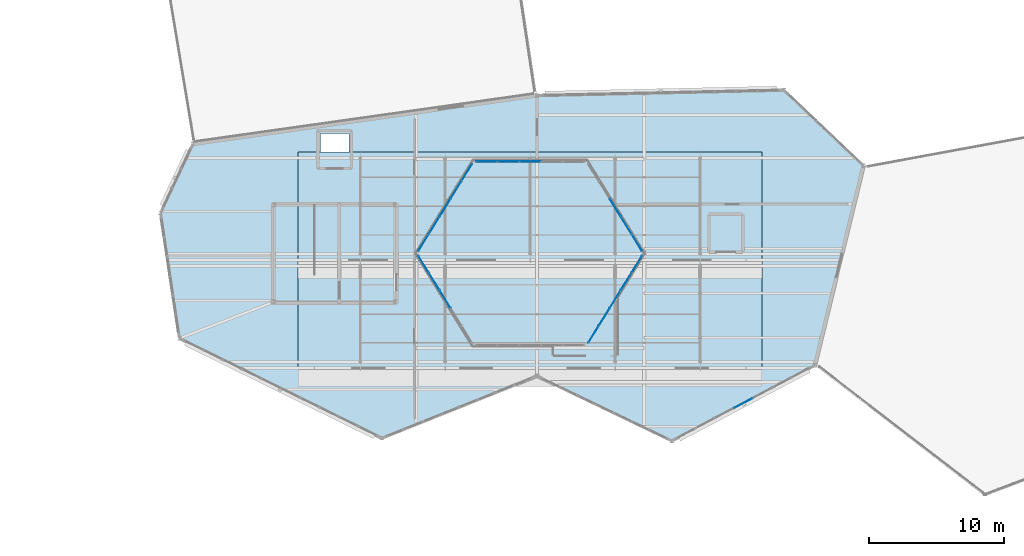
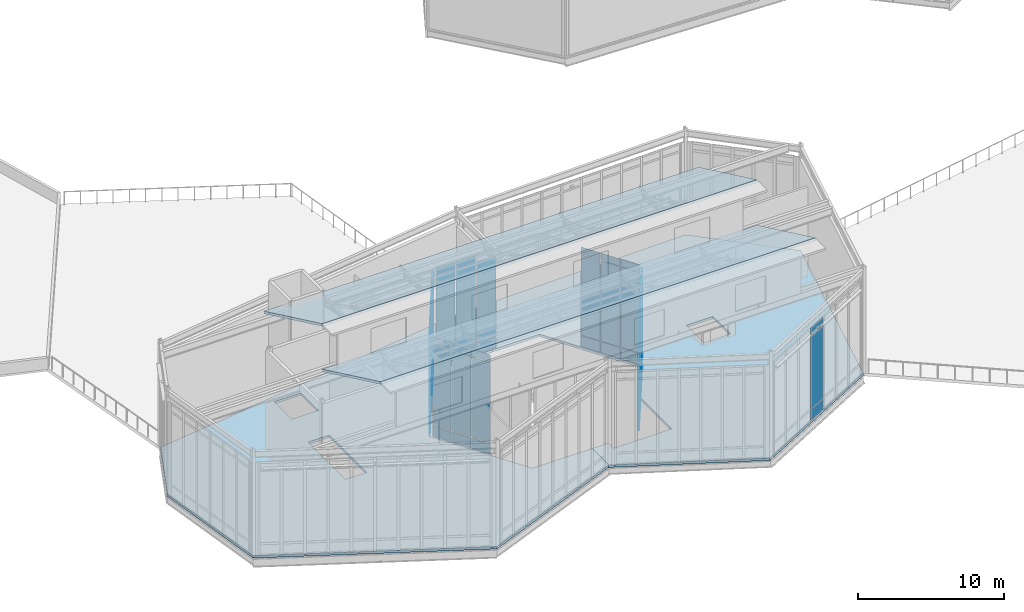
# One storey, part 44 of 66: 59 plates, 4 slabs, 6 elements without a shape of their own.
"""IFC4 building model written with IfcOpenShell, lengths in metres."""

from ifc_helpers import new_model, si_unit, direction, frame, origin, origin_2d, place, context, subcontext, project, spatial, polyline, rectangle, outline, extrude, material, layer, layer_set, type_object, element, aggregate, save


model = new_model("IFC4")

# Units and contexts
model_context = context("Model", 3, precision=1e-05, world=origin(), true_north=direction((0.0, 1.0)))
body_context = subcontext(model_context, "Body", "Model", "MODEL_VIEW")
ifc_project = project(units=[si_unit("LENGTHUNIT", "METRE"), si_unit("AREAUNIT", "SQUARE_METRE"), si_unit("VOLUMEUNIT", "CUBIC_METRE"), si_unit("PLANEANGLEUNIT", "RADIAN"), si_unit("MASSUNIT", "GRAM", prefix="KILO")], contexts=[model_context])

# Site, building, storey
site_placement = place(None, origin())
site = spatial("IfcSite", under=ifc_project, at=site_placement, CompositionType="ELEMENT")
building_placement = place(site_placement, origin())
building = spatial("IfcBuilding", under=site, at=building_placement, Name="Tameran Prism Museum", CompositionType="ELEMENT")
storey_placement = place(building_placement, frame((0.0, 0.0, 19.800048828125)))
storey = spatial("IfcBuildingStorey", under=building, at=storey_placement, Name="L04", CompositionType="ELEMENT", Elevation=19.800048828125)

# Curtain wall, plates
ifc_material_1 = material(Name="Anodised Aluminium 6063-T6 and Cyclone Solar Glass", Category="aluminium")
curtain_wall_type_1 = type_object("IfcCurtainWallType", Name="CW-ATR-769x844", PredefinedType="USERDEFINED", material=ifc_material_1)
curtain_wall_1_placement = place(storey_placement, origin())
curtain_wall_1 = element("IfcCurtainWall", 1, at=curtain_wall_1_placement, inside=storey, type_object=curtain_wall_type_1, Name="Unitised Curtain Wall CW-015", ObjectType="UNITISED CURTAIN WALL", PredefinedType="USERDEFINED")
ifc_material_2 = material(Name="Low-E Laminated Solar Glass", Category="glass")
ifc_layer_1 = layer(ifc_material_2, 0.028076171875)
ifc_layer_set_1 = layer_set([ifc_layer_1])
plate_type = type_object("IfcPlateType", Name="CW-PNL-G28", PredefinedType="CURTAIN_PANEL", material=ifc_layer_set_1)
plate_1_placement = place(storey_placement, frame((69.091796875, 35.703857421875, 0.06494140625), z_axis=(0.0, 0.0, 1.0), x_axis=(0.525503952357, -0.850791158897, 0.0)))
plate_1 = element("IfcPlate", 2, at=plate_1_placement, type_object=plate_type, Name="CW-015 panel 1.1", PredefinedType="CURTAIN_PANEL", context=body_context, shape_type="SweptSolid", body=[
    extrude(rectangle(XDim=1.44091796875, YDim=0.028076171875, at=origin_2d()), origin(), (0.0, 0.0, 1.0), 0.902587890625),
])
plate_2_placement = place(storey_placement, frame((69.091796875, 35.703857421875, 1.0322265625), z_axis=(0.0, 0.0, 1.0), x_axis=(0.525503952357, -0.850791158897, 0.0)))
plate_2 = element("IfcPlate", 3, at=plate_2_placement, type_object=plate_type, Name="CW-015 panel 1.2", PredefinedType="CURTAIN_PANEL", context=body_context, shape_type="SweptSolid", body=[
    extrude(rectangle(XDim=1.44091796875, YDim=0.028076171875, at=origin_2d()), origin(), (0.0, 0.0, 1.0), 6.695068359375),
])
plate_3_placement = place(storey_placement, frame((69.091796875, 35.703857421875, 7.79248046875), z_axis=(0.0, 0.0, 1.0), x_axis=(0.525503952357, -0.850791158897, 0.0)))
plate_3 = element("IfcPlate", 4, at=plate_3_placement, type_object=plate_type, Name="CW-015 panel 1.3", PredefinedType="CURTAIN_PANEL", context=body_context, shape_type="SweptSolid", body=[
    extrude(rectangle(XDim=1.44091796875, YDim=0.028076171875, at=origin_2d()), origin(), (0.0, 0.0, 1.0), 0.58251953125),
])
plate_4_placement = place(storey_placement, frame((69.8916015625, 34.40869140625, 0.06494140625), z_axis=(0.0, 0.0, 1.0), x_axis=(0.525503952357, -0.850791158897, 0.0)))
plate_4 = element("IfcPlate", 5, at=plate_4_placement, type_object=plate_type, Name="CW-015 panel 2.1", PredefinedType="CURTAIN_PANEL", context=body_context, shape_type="SweptSolid", body=[
    extrude(rectangle(XDim=1.473388671875, YDim=0.028076171875, at=origin_2d()), origin(), (0.0, 0.0, 1.0), 0.902587890625),
])
plate_5_placement = place(storey_placement, frame((69.8916015625, 34.40869140625, 1.0322265625), z_axis=(0.0, 0.0, 1.0), x_axis=(0.525503952357, -0.850791158897, 0.0)))
plate_5 = element("IfcPlate", 6, at=plate_5_placement, type_object=plate_type, Name="CW-015 panel 2.2", PredefinedType="CURTAIN_PANEL", context=body_context, shape_type="SweptSolid", body=[
    extrude(rectangle(XDim=1.473388671875, YDim=0.028076171875, at=origin_2d()), origin(), (0.0, 0.0, 1.0), 6.695068359375),
])
plate_6_placement = place(storey_placement, frame((69.8916015625, 34.40869140625, 7.79248046875), z_axis=(0.0, 0.0, 1.0), x_axis=(0.525503952357, -0.850791158897, 0.0)))
plate_6 = element("IfcPlate", 7, at=plate_6_placement, type_object=plate_type, Name="CW-015 panel 2.3", PredefinedType="CURTAIN_PANEL", context=body_context, shape_type="SweptSolid", body=[
    extrude(rectangle(XDim=1.473388671875, YDim=0.028076171875, at=origin_2d()), origin(), (0.0, 0.0, 1.0), 0.58251953125),
])
plate_7_placement = place(storey_placement, frame((70.699951171875, 33.10009765625, 0.06494140625), z_axis=(0.0, 0.0, 1.0), x_axis=(0.525503952357, -0.850791158897, 0.0)))
plate_7 = element("IfcPlate", 8, at=plate_7_placement, type_object=plate_type, Name="CW-015 panel 3.1", PredefinedType="CURTAIN_PANEL", context=body_context, shape_type="SweptSolid", body=[
    extrude(rectangle(XDim=1.473388671875, YDim=0.028076171875, at=origin_2d()), origin(), (0.0, 0.0, 1.0), 0.902587890625),
])
plate_8_placement = place(storey_placement, frame((70.699951171875, 33.10009765625, 1.0322265625), z_axis=(0.0, 0.0, 1.0), x_axis=(0.525503952357, -0.850791158897, 0.0)))
plate_8 = element("IfcPlate", 9, at=plate_8_placement, type_object=plate_type, Name="CW-015 panel 3.2", PredefinedType="CURTAIN_PANEL", context=body_context, shape_type="SweptSolid", body=[
    extrude(rectangle(XDim=1.473388671875, YDim=0.028076171875, at=origin_2d()), origin(), (0.0, 0.0, 1.0), 6.695068359375),
])
plate_9_placement = place(storey_placement, frame((70.699951171875, 33.10009765625, 7.79248046875), z_axis=(0.0, 0.0, 1.0), x_axis=(0.525503952357, -0.850791158897, 0.0)))
plate_9 = element("IfcPlate", 10, at=plate_9_placement, type_object=plate_type, Name="CW-015 panel 3.3", PredefinedType="CURTAIN_PANEL", context=body_context, shape_type="SweptSolid", body=[
    extrude(rectangle(XDim=1.473388671875, YDim=0.028076171875, at=origin_2d()), origin(), (0.0, 0.0, 1.0), 0.58251953125),
])
aggregate(curtain_wall_1, [plate_1, plate_2, plate_3, plate_4, plate_5, plate_6, plate_7, plate_8, plate_9])

curtain_wall_2_placement = place(storey_placement, origin())
curtain_wall_2 = element("IfcCurtainWall", 11, at=curtain_wall_2_placement, inside=storey, type_object=curtain_wall_type_1, Name="Unitised Curtain Wall CW-017", ObjectType="UNITISED CURTAIN WALL", PredefinedType="USERDEFINED")
plate_10_placement = place(storey_placement, frame((81.691650390625, 30.496337890625, 0.06494140625), z_axis=(0.0, 0.0, 1.0), x_axis=(0.525503952357, 0.850791158897, 0.0)))
plate_10 = element("IfcPlate", 12, at=plate_10_placement, type_object=plate_type, Name="CW-017 panel 1.1", PredefinedType="CURTAIN_PANEL", context=body_context, shape_type="SweptSolid", body=[
    extrude(rectangle(XDim=1.44091796875, YDim=0.028076171875, at=origin_2d()), origin(), (0.0, 0.0, 1.0), 0.902587890625),
])
plate_11_placement = place(storey_placement, frame((81.691650390625, 30.496337890625, 1.0322265625), z_axis=(0.0, 0.0, 1.0), x_axis=(0.525503952357, 0.850791158897, 0.0)))
plate_11 = element("IfcPlate", 13, at=plate_11_placement, type_object=plate_type, Name="CW-017 panel 1.2", PredefinedType="CURTAIN_PANEL", context=body_context, shape_type="SweptSolid", body=[
    extrude(rectangle(XDim=1.44091796875, YDim=0.028076171875, at=origin_2d()), origin(), (0.0, 0.0, 1.0), 6.695068359375),
])
plate_12_placement = place(storey_placement, frame((81.691650390625, 30.496337890625, 7.79248046875), z_axis=(0.0, 0.0, 1.0), x_axis=(0.525503952357, 0.850791158897, 0.0)))
plate_12 = element("IfcPlate", 14, at=plate_12_placement, type_object=plate_type, Name="CW-017 panel 1.3", PredefinedType="CURTAIN_PANEL", context=body_context, shape_type="SweptSolid", body=[
    extrude(rectangle(XDim=1.44091796875, YDim=0.028076171875, at=origin_2d()), origin(), (0.0, 0.0, 1.0), 0.58251953125),
])
plate_13_placement = place(storey_placement, frame((82.49169921875, 31.791259765625, 0.06494140625), z_axis=(0.0, 0.0, 1.0), x_axis=(0.525503952357, 0.850791158897, 0.0)))
plate_13 = element("IfcPlate", 15, at=plate_13_placement, type_object=plate_type, Name="CW-017 panel 2.1", PredefinedType="CURTAIN_PANEL", context=body_context, shape_type="SweptSolid", body=[
    extrude(rectangle(XDim=1.473388671875, YDim=0.028076171875, at=origin_2d()), origin(), (0.0, 0.0, 1.0), 0.902587890625),
])
plate_14_placement = place(storey_placement, frame((82.49169921875, 31.791259765625, 1.0322265625), z_axis=(0.0, 0.0, 1.0), x_axis=(0.525503952357, 0.850791158897, 0.0)))
plate_14 = element("IfcPlate", 16, at=plate_14_placement, type_object=plate_type, Name="CW-017 panel 2.2", PredefinedType="CURTAIN_PANEL", context=body_context, shape_type="SweptSolid", body=[
    extrude(rectangle(XDim=1.473388671875, YDim=0.028076171875, at=origin_2d()), origin(), (0.0, 0.0, 1.0), 6.695068359375),
])
plate_15_placement = place(storey_placement, frame((82.49169921875, 31.791259765625, 7.79248046875), z_axis=(0.0, 0.0, 1.0), x_axis=(0.525503952357, 0.850791158897, 0.0)))
plate_15 = element("IfcPlate", 17, at=plate_15_placement, type_object=plate_type, Name="CW-017 panel 2.3", PredefinedType="CURTAIN_PANEL", context=body_context, shape_type="SweptSolid", body=[
    extrude(rectangle(XDim=1.473388671875, YDim=0.028076171875, at=origin_2d()), origin(), (0.0, 0.0, 1.0), 0.58251953125),
])
plate_16_placement = place(storey_placement, frame((83.300048828125, 33.10009765625, 0.06494140625), z_axis=(0.0, 0.0, 1.0), x_axis=(0.525503952357, 0.850791158897, 0.0)))
plate_16 = element("IfcPlate", 18, at=plate_16_placement, type_object=plate_type, Name="CW-017 panel 3.1", PredefinedType="CURTAIN_PANEL", context=body_context, shape_type="SweptSolid", body=[
    extrude(rectangle(XDim=1.473388671875, YDim=0.028076171875, at=origin_2d()), origin(), (0.0, 0.0, 1.0), 0.902587890625),
])
plate_17_placement = place(storey_placement, frame((83.300048828125, 33.10009765625, 1.0322265625), z_axis=(0.0, 0.0, 1.0), x_axis=(0.525503952357, 0.850791158897, 0.0)))
plate_17 = element("IfcPlate", 19, at=plate_17_placement, type_object=plate_type, Name="CW-017 panel 3.2", PredefinedType="CURTAIN_PANEL", context=body_context, shape_type="SweptSolid", body=[
    extrude(rectangle(XDim=1.473388671875, YDim=0.028076171875, at=origin_2d()), origin(), (0.0, 0.0, 1.0), 6.695068359375),
])
plate_18_placement = place(storey_placement, frame((83.300048828125, 33.10009765625, 7.79248046875), z_axis=(0.0, 0.0, 1.0), x_axis=(0.525503952357, 0.850791158897, 0.0)))
plate_18 = element("IfcPlate", 20, at=plate_18_placement, type_object=plate_type, Name="CW-017 panel 3.3", PredefinedType="CURTAIN_PANEL", context=body_context, shape_type="SweptSolid", body=[
    extrude(rectangle(XDim=1.473388671875, YDim=0.028076171875, at=origin_2d()), origin(), (0.0, 0.0, 1.0), 0.58251953125),
])
plate_19_placement = place(storey_placement, frame((84.1083984375, 34.40869140625, 0.06494140625), z_axis=(0.0, 0.0, 1.0), x_axis=(0.525503952357, 0.850791158897, 0.0)))
plate_19 = element("IfcPlate", 21, at=plate_19_placement, type_object=plate_type, Name="CW-017 panel 4.1", PredefinedType="CURTAIN_PANEL", context=body_context, shape_type="SweptSolid", body=[
    extrude(rectangle(XDim=1.473388671875, YDim=0.028076171875, at=origin_2d()), origin(), (0.0, 0.0, 1.0), 0.902587890625),
])
plate_20_placement = place(storey_placement, frame((84.1083984375, 34.40869140625, 1.0322265625), z_axis=(0.0, 0.0, 1.0), x_axis=(0.525503952357, 0.850791158897, 0.0)))
plate_20 = element("IfcPlate", 22, at=plate_20_placement, type_object=plate_type, Name="CW-017 panel 4.2", PredefinedType="CURTAIN_PANEL", context=body_context, shape_type="SweptSolid", body=[
    extrude(rectangle(XDim=1.473388671875, YDim=0.028076171875, at=origin_2d()), origin(), (0.0, 0.0, 1.0), 6.695068359375),
])
plate_21_placement = place(storey_placement, frame((84.1083984375, 34.40869140625, 7.79248046875), z_axis=(0.0, 0.0, 1.0), x_axis=(0.525503952357, 0.850791158897, 0.0)))
plate_21 = element("IfcPlate", 23, at=plate_21_placement, type_object=plate_type, Name="CW-017 panel 4.3", PredefinedType="CURTAIN_PANEL", context=body_context, shape_type="SweptSolid", body=[
    extrude(rectangle(XDim=1.473388671875, YDim=0.028076171875, at=origin_2d()), origin(), (0.0, 0.0, 1.0), 0.58251953125),
])
plate_22_placement = place(storey_placement, frame((84.908203125, 35.703857421875, 0.06494140625), z_axis=(0.0, 0.0, 1.0), x_axis=(0.525503952357, 0.850791158897, 0.0)))
plate_22 = element("IfcPlate", 24, at=plate_22_placement, type_object=plate_type, Name="CW-017 panel 5.1", PredefinedType="CURTAIN_PANEL", context=body_context, shape_type="SweptSolid", body=[
    extrude(rectangle(XDim=1.44091796875, YDim=0.028076171875, at=origin_2d()), origin(), (0.0, 0.0, 1.0), 0.902587890625),
])
plate_23_placement = place(storey_placement, frame((84.908203125, 35.703857421875, 1.0322265625), z_axis=(0.0, 0.0, 1.0), x_axis=(0.525503952357, 0.850791158897, 0.0)))
plate_23 = element("IfcPlate", 25, at=plate_23_placement, type_object=plate_type, Name="CW-017 panel 5.2", PredefinedType="CURTAIN_PANEL", context=body_context, shape_type="SweptSolid", body=[
    extrude(rectangle(XDim=1.44091796875, YDim=0.028076171875, at=origin_2d()), origin(), (0.0, 0.0, 1.0), 6.695068359375),
])
plate_24_placement = place(storey_placement, frame((84.908203125, 35.703857421875, 7.79248046875), z_axis=(0.0, 0.0, 1.0), x_axis=(0.525503952357, 0.850791158897, 0.0)))
plate_24 = element("IfcPlate", 26, at=plate_24_placement, type_object=plate_type, Name="CW-017 panel 5.3", PredefinedType="CURTAIN_PANEL", context=body_context, shape_type="SweptSolid", body=[
    extrude(rectangle(XDim=1.44091796875, YDim=0.028076171875, at=origin_2d()), origin(), (0.0, 0.0, 1.0), 0.58251953125),
])
aggregate(curtain_wall_2, [plate_10, plate_11, plate_12, plate_13, plate_14, plate_15, plate_16, plate_17, plate_18, plate_19, plate_20, plate_21, plate_22, plate_23, plate_24])

curtain_wall_3_placement = place(storey_placement, origin())
curtain_wall_3 = element("IfcCurtainWall", 27, at=curtain_wall_3_placement, inside=storey, type_object=curtain_wall_type_1, Name="Unitised Curtain Wall CW-018", ObjectType="UNITISED CURTAIN WALL", PredefinedType="USERDEFINED")
plate_25_placement = place(storey_placement, frame((84.908203125, 37.296142578125, 0.06494140625), z_axis=(0.0, 0.0, 1.0), x_axis=(-0.525503952357, 0.850791158897, 0.0)))
plate_25 = element("IfcPlate", 28, at=plate_25_placement, type_object=plate_type, Name="CW-018 panel 1.1", PredefinedType="CURTAIN_PANEL", context=body_context, shape_type="SweptSolid", body=[
    extrude(rectangle(XDim=1.44091796875, YDim=0.028076171875, at=origin_2d()), origin(), (0.0, 0.0, 1.0), 0.902587890625),
])
plate_26_placement = place(storey_placement, frame((84.908203125, 37.296142578125, 1.0322265625), z_axis=(0.0, 0.0, 1.0), x_axis=(-0.525503952357, 0.850791158897, 0.0)))
plate_26 = element("IfcPlate", 29, at=plate_26_placement, type_object=plate_type, Name="CW-018 panel 1.2", PredefinedType="CURTAIN_PANEL", context=body_context, shape_type="SweptSolid", body=[
    extrude(rectangle(XDim=1.44091796875, YDim=0.028076171875, at=origin_2d()), origin(), (0.0, 0.0, 1.0), 6.695068359375),
])
plate_27_placement = place(storey_placement, frame((84.908203125, 37.296142578125, 7.79248046875), z_axis=(0.0, 0.0, 1.0), x_axis=(-0.525503952357, 0.850791158897, 0.0)))
plate_27 = element("IfcPlate", 30, at=plate_27_placement, type_object=plate_type, Name="CW-018 panel 1.3", PredefinedType="CURTAIN_PANEL", context=body_context, shape_type="SweptSolid", body=[
    extrude(rectangle(XDim=1.44091796875, YDim=0.028076171875, at=origin_2d()), origin(), (0.0, 0.0, 1.0), 0.58251953125),
])
plate_28_placement = place(storey_placement, frame((84.1083984375, 38.59130859375, 0.06494140625), z_axis=(0.0, 0.0, 1.0), x_axis=(-0.525503952357, 0.850791158897, 0.0)))
plate_28 = element("IfcPlate", 31, at=plate_28_placement, type_object=plate_type, Name="CW-018 panel 2.1", PredefinedType="CURTAIN_PANEL", context=body_context, shape_type="SweptSolid", body=[
    extrude(rectangle(XDim=1.473388671875, YDim=0.028076171875, at=origin_2d()), origin(), (0.0, 0.0, 1.0), 0.902587890625),
])
plate_29_placement = place(storey_placement, frame((84.1083984375, 38.59130859375, 1.0322265625), z_axis=(0.0, 0.0, 1.0), x_axis=(-0.525503952357, 0.850791158897, 0.0)))
plate_29 = element("IfcPlate", 32, at=plate_29_placement, type_object=plate_type, Name="CW-018 panel 2.2", PredefinedType="CURTAIN_PANEL", context=body_context, shape_type="SweptSolid", body=[
    extrude(rectangle(XDim=1.473388671875, YDim=0.028076171875, at=origin_2d()), origin(), (0.0, 0.0, 1.0), 6.695068359375),
])
plate_30_placement = place(storey_placement, frame((84.1083984375, 38.59130859375, 7.79248046875), z_axis=(0.0, 0.0, 1.0), x_axis=(-0.525503952357, 0.850791158897, 0.0)))
plate_30 = element("IfcPlate", 33, at=plate_30_placement, type_object=plate_type, Name="CW-018 panel 2.3", PredefinedType="CURTAIN_PANEL", context=body_context, shape_type="SweptSolid", body=[
    extrude(rectangle(XDim=1.473388671875, YDim=0.028076171875, at=origin_2d()), origin(), (0.0, 0.0, 1.0), 0.58251953125),
])
plate_31_placement = place(storey_placement, frame((83.300048828125, 39.89990234375, 0.06494140625), z_axis=(0.0, 0.0, 1.0), x_axis=(-0.525503952357, 0.850791158897, 0.0)))
plate_31 = element("IfcPlate", 34, at=plate_31_placement, type_object=plate_type, Name="CW-018 panel 3.1", PredefinedType="CURTAIN_PANEL", context=body_context, shape_type="SweptSolid", body=[
    extrude(rectangle(XDim=1.473388671875, YDim=0.028076171875, at=origin_2d()), origin(), (0.0, 0.0, 1.0), 0.902587890625),
])
plate_32_placement = place(storey_placement, frame((83.300048828125, 39.89990234375, 1.0322265625), z_axis=(0.0, 0.0, 1.0), x_axis=(-0.525503952357, 0.850791158897, 0.0)))
plate_32 = element("IfcPlate", 35, at=plate_32_placement, type_object=plate_type, Name="CW-018 panel 3.2", PredefinedType="CURTAIN_PANEL", context=body_context, shape_type="SweptSolid", body=[
    extrude(rectangle(XDim=1.473388671875, YDim=0.028076171875, at=origin_2d()), origin(), (0.0, 0.0, 1.0), 6.695068359375),
])
plate_33_placement = place(storey_placement, frame((83.300048828125, 39.89990234375, 7.79248046875), z_axis=(0.0, 0.0, 1.0), x_axis=(-0.525503952357, 0.850791158897, 0.0)))
plate_33 = element("IfcPlate", 36, at=plate_33_placement, type_object=plate_type, Name="CW-018 panel 3.3", PredefinedType="CURTAIN_PANEL", context=body_context, shape_type="SweptSolid", body=[
    extrude(rectangle(XDim=1.473388671875, YDim=0.028076171875, at=origin_2d()), origin(), (0.0, 0.0, 1.0), 0.58251953125),
])
aggregate(curtain_wall_3, [plate_25, plate_26, plate_27, plate_28, plate_29, plate_30, plate_31, plate_32, plate_33])

ifc_material_3 = material(Name="Anodised Aluminium 6063-T6 and Cyclone Solar Glass", Category="aluminium")
curtain_wall_type_2 = type_object("IfcCurtainWallType", Name="CW-ATR-810x844", PredefinedType="USERDEFINED", material=ifc_material_3)
curtain_wall_4_placement = place(storey_placement, origin())
curtain_wall_4 = element("IfcCurtainWall", 37, at=curtain_wall_4_placement, inside=storey, type_object=curtain_wall_type_2, Name="Unitised Curtain Wall CW-019", ObjectType="UNITISED CURTAIN WALL", PredefinedType="USERDEFINED")
plate_34_placement = place(storey_placement, frame((77.0, 43.300048828125, 0.06494140625), z_axis=(0.0, 0.0, 1.0), x_axis=(-1.0, 0.0, 0.0)))
plate_34 = element("IfcPlate", 38, at=plate_34_placement, type_object=plate_type, Name="CW-019 panel 3.1", PredefinedType="CURTAIN_PANEL", context=body_context, shape_type="SweptSolid", body=[
    extrude(rectangle(XDim=1.554931640625, YDim=0.028076171875, at=origin_2d()), origin(), (0.0, 0.0, 1.0), 0.902587890625),
])
plate_35_placement = place(storey_placement, frame((77.0, 43.300048828125, 1.0322265625), z_axis=(0.0, 0.0, 1.0), x_axis=(-1.0, 0.0, 0.0)))
plate_35 = element("IfcPlate", 39, at=plate_35_placement, type_object=plate_type, Name="CW-019 panel 3.2", PredefinedType="CURTAIN_PANEL", context=body_context, shape_type="SweptSolid", body=[
    extrude(rectangle(XDim=1.554931640625, YDim=0.028076171875, at=origin_2d()), origin(), (0.0, 0.0, 1.0), 6.695068359375),
])
plate_36_placement = place(storey_placement, frame((75.3798828125, 43.300048828125, 0.06494140625), z_axis=(0.0, 0.0, 1.0), x_axis=(-1.0, 0.0, 0.0)))
plate_36 = element("IfcPlate", 40, at=plate_36_placement, type_object=plate_type, Name="CW-019 panel 4.1", PredefinedType="CURTAIN_PANEL", context=body_context, shape_type="SweptSolid", body=[
    extrude(rectangle(XDim=1.554931640625, YDim=0.028076171875, at=origin_2d()), origin(), (0.0, 0.0, 1.0), 0.902587890625),
])
plate_37_placement = place(storey_placement, frame((75.3798828125, 43.300048828125, 1.0322265625), z_axis=(0.0, 0.0, 1.0), x_axis=(-1.0, 0.0, 0.0)))
plate_37 = element("IfcPlate", 41, at=plate_37_placement, type_object=plate_type, Name="CW-019 panel 4.2", PredefinedType="CURTAIN_PANEL", context=body_context, shape_type="SweptSolid", body=[
    extrude(rectangle(XDim=1.554931640625, YDim=0.028076171875, at=origin_2d()), origin(), (0.0, 0.0, 1.0), 6.695068359375),
])
plate_38_placement = place(storey_placement, frame((75.3798828125, 43.300048828125, 7.79248046875), z_axis=(0.0, 0.0, 1.0), x_axis=(-1.0, 0.0, 0.0)))
plate_38 = element("IfcPlate", 42, at=plate_38_placement, type_object=plate_type, Name="CW-019 panel 4.3", PredefinedType="CURTAIN_PANEL", context=body_context, shape_type="SweptSolid", body=[
    extrude(rectangle(XDim=1.554931640625, YDim=0.028076171875, at=origin_2d()), origin(), (0.0, 0.0, 1.0), 0.58251953125),
])
plate_39_placement = place(storey_placement, frame((73.7763671875, 43.300048828125, 0.06494140625), z_axis=(0.0, 0.0, 1.0), x_axis=(-1.0, 0.0, 0.0)))
plate_39 = element("IfcPlate", 43, at=plate_39_placement, type_object=plate_type, Name="CW-019 panel 5.1", PredefinedType="CURTAIN_PANEL", context=body_context, shape_type="SweptSolid", body=[
    extrude(rectangle(XDim=1.5224609375, YDim=0.028076171875, at=origin_2d()), origin(), (0.0, 0.0, 1.0), 0.902587890625),
])
plate_40_placement = place(storey_placement, frame((73.7763671875, 43.300048828125, 1.0322265625), z_axis=(0.0, 0.0, 1.0), x_axis=(-1.0, 0.0, 0.0)))
plate_40 = element("IfcPlate", 44, at=plate_40_placement, type_object=plate_type, Name="CW-019 panel 5.2", PredefinedType="CURTAIN_PANEL", context=body_context, shape_type="SweptSolid", body=[
    extrude(rectangle(XDim=1.5224609375, YDim=0.028076171875, at=origin_2d()), origin(), (0.0, 0.0, 1.0), 6.695068359375),
])
plate_41_placement = place(storey_placement, frame((73.7763671875, 43.300048828125, 7.79248046875), z_axis=(0.0, 0.0, 1.0), x_axis=(-1.0, 0.0, 0.0)))
plate_41 = element("IfcPlate", 45, at=plate_41_placement, type_object=plate_type, Name="CW-019 panel 5.3", PredefinedType="CURTAIN_PANEL", context=body_context, shape_type="SweptSolid", body=[
    extrude(rectangle(XDim=1.5224609375, YDim=0.028076171875, at=origin_2d()), origin(), (0.0, 0.0, 1.0), 0.58251953125),
])
aggregate(curtain_wall_4, [plate_34, plate_35, plate_36, plate_37, plate_38, plate_39, plate_40, plate_41])

curtain_wall_5_placement = place(storey_placement, origin())
curtain_wall_5 = element("IfcCurtainWall", 46, at=curtain_wall_5_placement, inside=storey, type_object=curtain_wall_type_1, Name="Unitised Curtain Wall CW-020", ObjectType="UNITISED CURTAIN WALL", PredefinedType="USERDEFINED")
plate_42_placement = place(storey_placement, frame((72.308349609375, 42.503662109375, 0.06494140625), z_axis=(0.0, 0.0, 1.0), x_axis=(-0.525503952357, -0.850791158897, 0.0)))
plate_42 = element("IfcPlate", 47, at=plate_42_placement, type_object=plate_type, Name="CW-020 panel 1.1", PredefinedType="CURTAIN_PANEL", context=body_context, shape_type="SweptSolid", body=[
    extrude(rectangle(XDim=1.44091796875, YDim=0.028076171875, at=origin_2d()), origin(), (0.0, 0.0, 1.0), 0.902587890625),
])
plate_43_placement = place(storey_placement, frame((72.308349609375, 42.503662109375, 1.0322265625), z_axis=(0.0, 0.0, 1.0), x_axis=(-0.525503952357, -0.850791158897, 0.0)))
plate_43 = element("IfcPlate", 48, at=plate_43_placement, type_object=plate_type, Name="CW-020 panel 1.2", PredefinedType="CURTAIN_PANEL", context=body_context, shape_type="SweptSolid", body=[
    extrude(rectangle(XDim=1.44091796875, YDim=0.028076171875, at=origin_2d()), origin(), (0.0, 0.0, 1.0), 6.695068359375),
])
plate_44_placement = place(storey_placement, frame((72.308349609375, 42.503662109375, 7.79248046875), z_axis=(0.0, 0.0, 1.0), x_axis=(-0.525503952357, -0.850791158897, 0.0)))
plate_44 = element("IfcPlate", 49, at=plate_44_placement, type_object=plate_type, Name="CW-020 panel 1.3", PredefinedType="CURTAIN_PANEL", context=body_context, shape_type="SweptSolid", body=[
    extrude(rectangle(XDim=1.44091796875, YDim=0.028076171875, at=origin_2d()), origin(), (0.0, 0.0, 1.0), 0.58251953125),
])
plate_45_placement = place(storey_placement, frame((71.50830078125, 41.208740234375, 0.06494140625), z_axis=(0.0, 0.0, 1.0), x_axis=(-0.525503952357, -0.850791158897, 0.0)))
plate_45 = element("IfcPlate", 50, at=plate_45_placement, type_object=plate_type, Name="CW-020 panel 2.1", PredefinedType="CURTAIN_PANEL", context=body_context, shape_type="SweptSolid", body=[
    extrude(rectangle(XDim=1.473388671875, YDim=0.028076171875, at=origin_2d()), origin(), (0.0, 0.0, 1.0), 0.902587890625),
])
plate_46_placement = place(storey_placement, frame((71.50830078125, 41.208740234375, 1.0322265625), z_axis=(0.0, 0.0, 1.0), x_axis=(-0.525503952357, -0.850791158897, 0.0)))
plate_46 = element("IfcPlate", 51, at=plate_46_placement, type_object=plate_type, Name="CW-020 panel 2.2", PredefinedType="CURTAIN_PANEL", context=body_context, shape_type="SweptSolid", body=[
    extrude(rectangle(XDim=1.473388671875, YDim=0.028076171875, at=origin_2d()), origin(), (0.0, 0.0, 1.0), 6.695068359375),
])
plate_47_placement = place(storey_placement, frame((71.50830078125, 41.208740234375, 7.79248046875), z_axis=(0.0, 0.0, 1.0), x_axis=(-0.525503952357, -0.850791158897, 0.0)))
plate_47 = element("IfcPlate", 52, at=plate_47_placement, type_object=plate_type, Name="CW-020 panel 2.3", PredefinedType="CURTAIN_PANEL", context=body_context, shape_type="SweptSolid", body=[
    extrude(rectangle(XDim=1.473388671875, YDim=0.028076171875, at=origin_2d()), origin(), (0.0, 0.0, 1.0), 0.58251953125),
])
plate_48_placement = place(storey_placement, frame((70.699951171875, 39.89990234375, 0.06494140625), z_axis=(0.0, 0.0, 1.0), x_axis=(-0.525503952357, -0.850791158897, 0.0)))
plate_48 = element("IfcPlate", 53, at=plate_48_placement, type_object=plate_type, Name="CW-020 panel 3.1", PredefinedType="CURTAIN_PANEL", context=body_context, shape_type="SweptSolid", body=[
    extrude(rectangle(XDim=1.473388671875, YDim=0.028076171875, at=origin_2d()), origin(), (0.0, 0.0, 1.0), 0.902587890625),
])
plate_49_placement = place(storey_placement, frame((70.699951171875, 39.89990234375, 1.0322265625), z_axis=(0.0, 0.0, 1.0), x_axis=(-0.525503952357, -0.850791158897, 0.0)))
plate_49 = element("IfcPlate", 54, at=plate_49_placement, type_object=plate_type, Name="CW-020 panel 3.2", PredefinedType="CURTAIN_PANEL", context=body_context, shape_type="SweptSolid", body=[
    extrude(rectangle(XDim=1.473388671875, YDim=0.028076171875, at=origin_2d()), origin(), (0.0, 0.0, 1.0), 6.695068359375),
])
plate_50_placement = place(storey_placement, frame((70.699951171875, 39.89990234375, 7.79248046875), z_axis=(0.0, 0.0, 1.0), x_axis=(-0.525503952357, -0.850791158897, 0.0)))
plate_50 = element("IfcPlate", 55, at=plate_50_placement, type_object=plate_type, Name="CW-020 panel 3.3", PredefinedType="CURTAIN_PANEL", context=body_context, shape_type="SweptSolid", body=[
    extrude(rectangle(XDim=1.473388671875, YDim=0.028076171875, at=origin_2d()), origin(), (0.0, 0.0, 1.0), 0.58251953125),
])
plate_51_placement = place(storey_placement, frame((69.8916015625, 38.59130859375, 0.06494140625), z_axis=(0.0, 0.0, 1.0), x_axis=(-0.525503952357, -0.850791158897, 0.0)))
plate_51 = element("IfcPlate", 56, at=plate_51_placement, type_object=plate_type, Name="CW-020 panel 4.1", PredefinedType="CURTAIN_PANEL", context=body_context, shape_type="SweptSolid", body=[
    extrude(rectangle(XDim=1.473388671875, YDim=0.028076171875, at=origin_2d()), origin(), (0.0, 0.0, 1.0), 0.902587890625),
])
plate_52_placement = place(storey_placement, frame((69.8916015625, 38.59130859375, 1.0322265625), z_axis=(0.0, 0.0, 1.0), x_axis=(-0.525503952357, -0.850791158897, 0.0)))
plate_52 = element("IfcPlate", 57, at=plate_52_placement, type_object=plate_type, Name="CW-020 panel 4.2", PredefinedType="CURTAIN_PANEL", context=body_context, shape_type="SweptSolid", body=[
    extrude(rectangle(XDim=1.473388671875, YDim=0.028076171875, at=origin_2d()), origin(), (0.0, 0.0, 1.0), 6.695068359375),
])
plate_53_placement = place(storey_placement, frame((69.8916015625, 38.59130859375, 7.79248046875), z_axis=(0.0, 0.0, 1.0), x_axis=(-0.525503952357, -0.850791158897, 0.0)))
plate_53 = element("IfcPlate", 58, at=plate_53_placement, type_object=plate_type, Name="CW-020 panel 4.3", PredefinedType="CURTAIN_PANEL", context=body_context, shape_type="SweptSolid", body=[
    extrude(rectangle(XDim=1.473388671875, YDim=0.028076171875, at=origin_2d()), origin(), (0.0, 0.0, 1.0), 0.58251953125),
])
plate_54_placement = place(storey_placement, frame((69.091796875, 37.296142578125, 0.06494140625), z_axis=(0.0, 0.0, 1.0), x_axis=(-0.525503952357, -0.850791158897, 0.0)))
plate_54 = element("IfcPlate", 59, at=plate_54_placement, type_object=plate_type, Name="CW-020 panel 5.1", PredefinedType="CURTAIN_PANEL", context=body_context, shape_type="SweptSolid", body=[
    extrude(rectangle(XDim=1.44091796875, YDim=0.028076171875, at=origin_2d()), origin(), (0.0, 0.0, 1.0), 0.902587890625),
])
plate_55_placement = place(storey_placement, frame((69.091796875, 37.296142578125, 1.0322265625), z_axis=(0.0, 0.0, 1.0), x_axis=(-0.525503952357, -0.850791158897, 0.0)))
plate_55 = element("IfcPlate", 60, at=plate_55_placement, type_object=plate_type, Name="CW-020 panel 5.2", PredefinedType="CURTAIN_PANEL", context=body_context, shape_type="SweptSolid", body=[
    extrude(rectangle(XDim=1.44091796875, YDim=0.028076171875, at=origin_2d()), origin(), (0.0, 0.0, 1.0), 6.695068359375),
])
plate_56_placement = place(storey_placement, frame((69.091796875, 37.296142578125, 7.79248046875), z_axis=(0.0, 0.0, 1.0), x_axis=(-0.525503952357, -0.850791158897, 0.0)))
plate_56 = element("IfcPlate", 61, at=plate_56_placement, type_object=plate_type, Name="CW-020 panel 5.3", PredefinedType="CURTAIN_PANEL", context=body_context, shape_type="SweptSolid", body=[
    extrude(rectangle(XDim=1.44091796875, YDim=0.028076171875, at=origin_2d()), origin(), (0.0, 0.0, 1.0), 0.58251953125),
])
aggregate(curtain_wall_5, [plate_42, plate_43, plate_44, plate_45, plate_46, plate_47, plate_48, plate_49, plate_50, plate_51, plate_52, plate_53, plate_54, plate_55, plate_56])

ifc_material_4 = material(Name="Anodised Aluminium 6063-T6 and Cyclone Solar Glass", Category="aluminium")
curtain_wall_type_3 = type_object("IfcCurtainWallType", Name="CW-FAC-1129x782", PredefinedType="USERDEFINED", material=ifc_material_4)
curtain_wall_6_placement = place(storey_placement, origin())
curtain_wall_6 = element("IfcCurtainWall", 62, at=curtain_wall_6_placement, inside=storey, type_object=curtain_wall_type_3, Name="Unitised Curtain Wall CW-161", ObjectType="UNITISED CURTAIN WALL", PredefinedType="USERDEFINED")
plate_57_placement = place(storey_placement, frame((92.800048828125, 25.39990234375, 0.0751953125), z_axis=(0.0, 0.0, 1.0), x_axis=(-0.884175436294, -0.467155004099, 0.0)))
plate_57 = element("IfcPlate", 63, at=plate_57_placement, type_object=plate_type, Name="CW-161 panel 4.1", PredefinedType="CURTAIN_PANEL", context=body_context, shape_type="SweptSolid", body=[
    extrude(rectangle(XDim=1.537841796875, YDim=0.028076171875, at=origin_2d()), origin(), (0.0, 0.0, 1.0), 0.887451171875),
])
plate_58_placement = place(storey_placement, frame((92.800048828125, 25.39990234375, 1.03759765625), z_axis=(0.0, 0.0, 1.0), x_axis=(-0.884175436294, -0.467155004099, 0.0)))
plate_58 = element("IfcPlate", 64, at=plate_58_placement, type_object=plate_type, Name="CW-161 panel 4.2", PredefinedType="CURTAIN_PANEL", context=body_context, shape_type="SweptSolid", body=[
    extrude(rectangle(XDim=1.537841796875, YDim=0.028076171875, at=origin_2d()), origin(), (0.0, 0.0, 1.0), 6.06494140625),
])
plate_59_placement = place(storey_placement, frame((92.800048828125, 25.39990234375, 7.177490234375), z_axis=(0.0, 0.0, 1.0), x_axis=(-0.884175436294, -0.467155004099, 0.0)))
plate_59 = element("IfcPlate", 65, at=plate_59_placement, type_object=plate_type, Name="CW-161 panel 4.3", PredefinedType="CURTAIN_PANEL", context=body_context, shape_type="SweptSolid", body=[
    extrude(rectangle(XDim=1.537841796875, YDim=0.028076171875, at=origin_2d()), origin(), (0.0, 0.0, 1.0), 0.5673828125),
])
aggregate(curtain_wall_6, [plate_57, plate_58, plate_59])

# Slabs
ifc_material_5 = material(Name="Concrete N32 (32 MPa)", Category="concrete")
ifc_layer_2 = layer(ifc_material_5, 0.199951171875)
ifc_layer_set_2 = layer_set([ifc_layer_2])
slab_type_1 = type_object("IfcSlabType", Name="SL-FLR-200", PredefinedType="FLOOR", material=ifc_layer_set_2)
slab_1_placement = place(storey_placement, frame((0.0, 0.0, -0.199951171875)))
element("IfcSlab", 66, at=slab_1_placement, inside=storey, type_object=slab_type_1, Name="Floor Slab FS-P05-L04", PredefinedType="FLOOR", context=body_context, shape_type="SweptSolid", body=[
    extrude(outline(polyline([(77.5, 27.39990234375), (66.0, 22.800048828125), (51.0, 30.199951171875), (49.60009765625, 39.5), (52.0, 44.60009765625), (77.5, 48.199951171875), (77.5, 43.300048828125), (72.800048828125, 43.300048828125), (68.60009765625, 36.5), (72.800048828125, 29.699951171875), (77.5, 29.699951171875), (77.5, 27.39990234375)]), holes=[polyline([(61.050048828125, 34.93994140625), (62.719970703125, 34.93994140625), (62.719970703125, 40.050048828125), (61.050048828125, 40.050048828125), (61.050048828125, 34.93994140625)]), polyline([(61.449951171875, 43.0), (63.550048828125, 43.0), (63.550048828125, 45.39990234375), (61.449951171875, 45.39990234375), (61.449951171875, 43.0)])]), origin(), (0.0, 0.0, 1.0), 0.199951171875),
])
slab_2_placement = place(storey_placement, frame((0.0, 0.0, -0.199951171875)))
element("IfcSlab", 67, at=slab_2_placement, inside=storey, type_object=slab_type_1, Name="Floor Slab FS-P06-L04", PredefinedType="FLOOR", context=body_context, shape_type="SweptSolid", body=[
    extrude(outline(polyline([(77.5, 48.199951171875), (95.800048828125, 48.60009765625), (101.699951171875, 43.0), (98.10009765625, 28.199951171875), (87.5, 22.60009765625), (77.5, 27.39990234375), (77.5, 29.699951171875), (78.800048828125, 29.699951171875), (78.800048828125, 29.0), (83.39990234375, 29.0), (83.39990234375, 33.261962890625), (85.39990234375, 36.5), (81.199951171875, 43.300048828125), (77.5, 43.300048828125), (77.5, 48.199951171875)]), holes=[polyline([(92.550048828125, 36.800048828125), (92.550048828125, 39.199951171875), (90.449951171875, 39.199951171875), (90.449951171875, 36.800048828125), (92.550048828125, 36.800048828125)])]), origin(), (0.0, 0.0, 1.0), 0.199951171875),
])
ifc_material_6 = material(Name="Insulated Aluminium Roof Deck", Category="aluminium")
ifc_layer_3 = layer(ifc_material_6, 0.195068359375)
ifc_layer_set_3 = layer_set([ifc_layer_3])
slab_type_2 = type_object("IfcSlabType", Name="SL-SAW-195", PredefinedType="ROOF", material=ifc_layer_set_3)
for number, where, z_axis, x_axis, name in (
    (68, (59.800048828125, 28.0, 12.800048828125), (0.0, 0.429061312803, 0.903275367679), (1.0, 0.0, 0.0), "Sawtooth Sloped Roof SAW-06"),
    (69, (59.800048828125, 36.0, 12.800048828125), (0.0, 0.429061312803, 0.903275367679), (1.0, 0.0, 0.0), "Sawtooth Sloped Roof SAW-07"),
):
    element("IfcSlab", number, at=place(storey_placement, frame(where, z_axis=z_axis, x_axis=x_axis)), inside=storey, type_object=slab_type_2, Name=name, PredefinedType="ROOF", context=body_context, shape_type="SweptSolid", body=[
        extrude(outline(polyline([(0.0, 0.0), (34.39990234375, 0.0), (34.39990234375, 8.856656880343406), (0.0, 8.856656880343406), (0.0, 0.0)])), origin(), (0.0, 0.0, -1.0), 0.195068359375),
    ])

save(model, "model.ifc")
